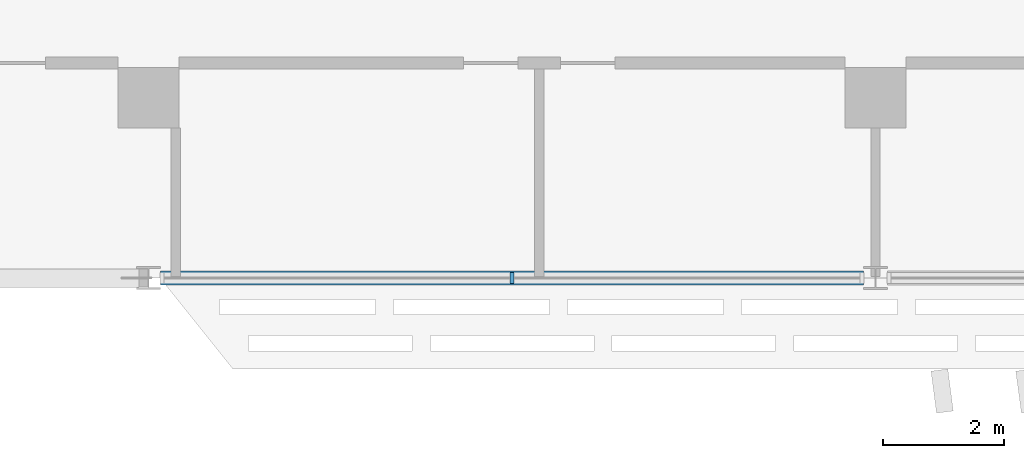
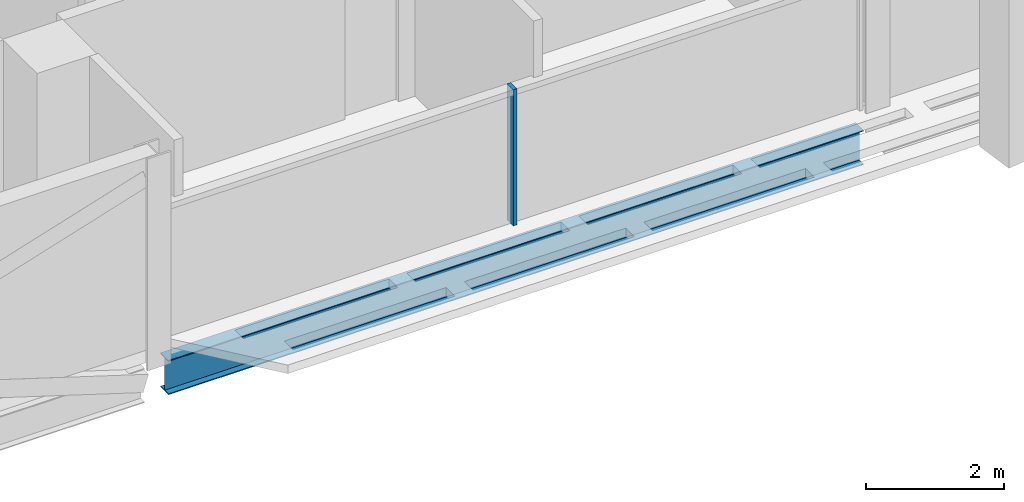
# One storey, part 6 of 33: 1 beam, 1 member, 1 element without a shape of its own.
"""IFC4 building model written with IfcOpenShell, lengths in metres."""

from ifc_helpers import new_model, si_unit, direction, frame, origin, origin_2d, place, context, subcontext, project, spatial, rectangle, i_section, extrude, material, material_profile, profile_set, type_object, element, aggregate, save


model = new_model("IFC4")

# Units and contexts
model_context = context("Model", 3, precision=1e-05, world=origin(), true_north=direction((0.0, 1.0)))
body_context = subcontext(model_context, "Body", "Model", "MODEL_VIEW")
ifc_project = project(units=[si_unit("LENGTHUNIT", "METRE"), si_unit("AREAUNIT", "SQUARE_METRE"), si_unit("VOLUMEUNIT", "CUBIC_METRE"), si_unit("PLANEANGLEUNIT", "RADIAN"), si_unit("MASSUNIT", "GRAM", prefix="KILO")], contexts=[model_context])

# Site, building, storey
site_placement = place(None, origin())
site = spatial("IfcSite", under=ifc_project, at=site_placement, CompositionType="ELEMENT")
building_placement = place(site_placement, origin())
building = spatial("IfcBuilding", under=site, at=building_placement, Name="Mahtab Terrace Research Tower", CompositionType="ELEMENT")
storey_placement = place(building_placement, frame((0.0, 0.0, 255.199951171875)))
storey = spatial("IfcBuildingStorey", under=building, at=storey_placement, Name="L62", CompositionType="ELEMENT", Elevation=255.199951171875)

# Curtain wall, member
ifc_material_1 = material(Name="Office ribbon curtain wall")
curtain_wall_type = type_object("IfcCurtainWallType", Name="Office ribbon curtain wall", PredefinedType="NOTDEFINED", material=ifc_material_1)
curtain_wall_placement = place(storey_placement, origin())
curtain_wall = element("IfcCurtainWall", 1, at=curtain_wall_placement, inside=storey, type_object=curtain_wall_type, Name="EN.L62.13.27", PredefinedType="NOTDEFINED")
ifc_material_2 = material(Name="Natural anodised aluminium", Category="aluminium")
ifc_material_profile_1 = material_profile(ifc_material_2, rectangle(XDim=0.179931640625, YDim=0.06005859375, at=origin_2d()), Name="MULLION 60x180")
ifc_profile_set_1 = profile_set([ifc_material_profile_1], Name="Natural anodised aluminium")
member_type = type_object("IfcMemberType", Name="Office ribbon curtain wall mullion", PredefinedType="MULLION", material=ifc_profile_set_1)
member_placement = place(storey_placement, frame((-12.0, -14.472900390625, 0.0), z_axis=(0.0, 0.0, 1.0), x_axis=(0.0, 1.0, 0.0)))
member = element("IfcMember", 2, at=member_placement, type_object=member_type, Name="CWO-7 mullion 2", PredefinedType="MULLION", context=body_context, shape_type="SweptSolid", body=[
    extrude(rectangle(XDim=0.179931640625, YDim=0.06005859375, at=origin_2d()), origin(), (0.0, 0.0, 1.0), 2.4013671875),
])
aggregate(curtain_wall, [member])

# Beam
ifc_material_3 = material(Name="Steel ASTM A992 Gr 50", Category="steel")
ifc_material_profile_2 = material_profile(ifc_material_3, i_section(OverallWidth=0.228271484375, OverallDepth=0.607177734375, WebThickness=0.01123046875, FlangeThickness=0.017333984375, at=origin_2d()), Name="W24X76")
ifc_profile_set_2 = profile_set([ifc_material_profile_2], Name="Steel ASTM A992 Gr 50")
beam_type = type_object("IfcBeamType", Name="W24x76 beam BS2476", PredefinedType="BEAM", material=ifc_profile_set_2)
beam_placement = place(storey_placement, frame((-17.800537109375, -14.472900390625, -0.6435546875), z_axis=(1.0, 0.0, 0.0), x_axis=(0.0, 1.0, 0.0)))
element("IfcBeam", 3, at=beam_placement, inside=storey, type_object=beam_type, Name="Spandrel beam L62 14", PredefinedType="BEAM", context=body_context, shape_type="SweptSolid", body=[
    extrude(i_section(OverallWidth=0.228271484375, OverallDepth=0.607177734375, WebThickness=0.01123046875, FlangeThickness=0.017333984375, at=origin_2d()), origin(), (0.0, 0.0, 1.0), 11.60107421875),
])

save(model, "model.ifc")
